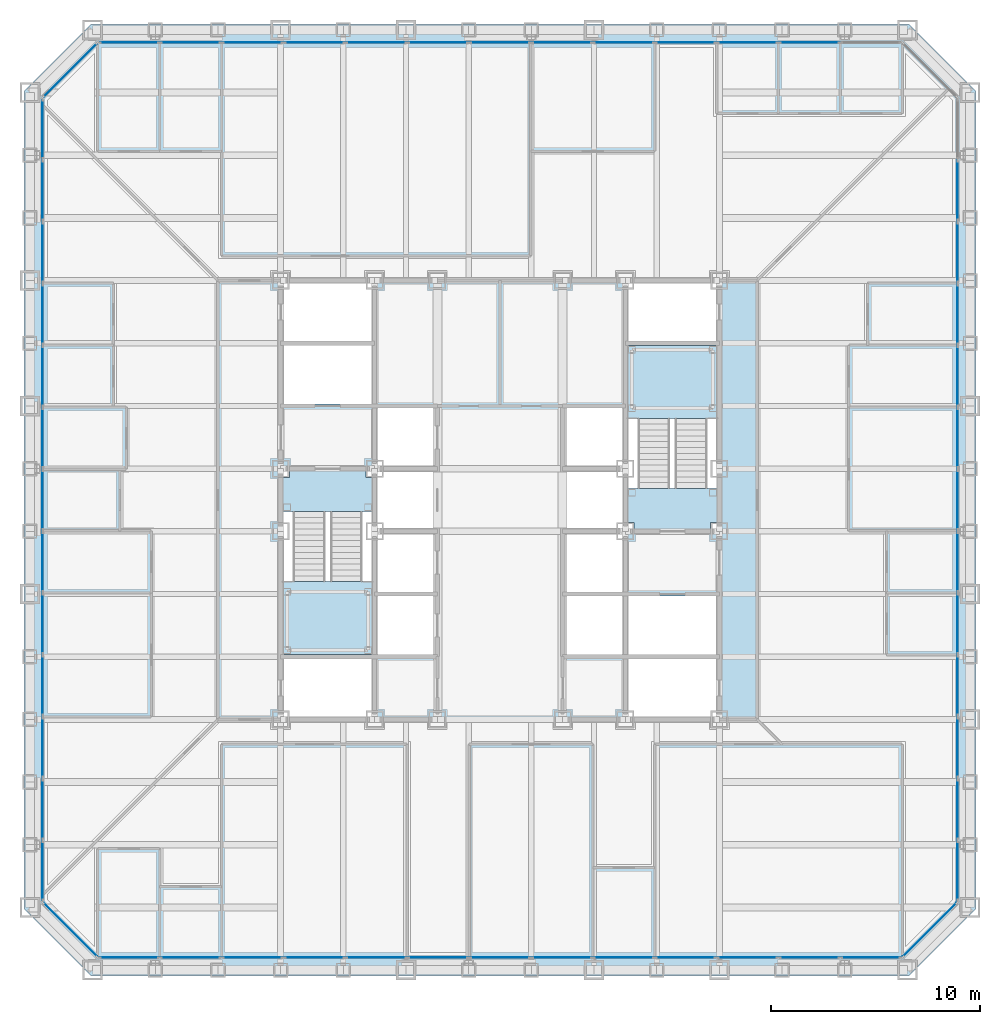
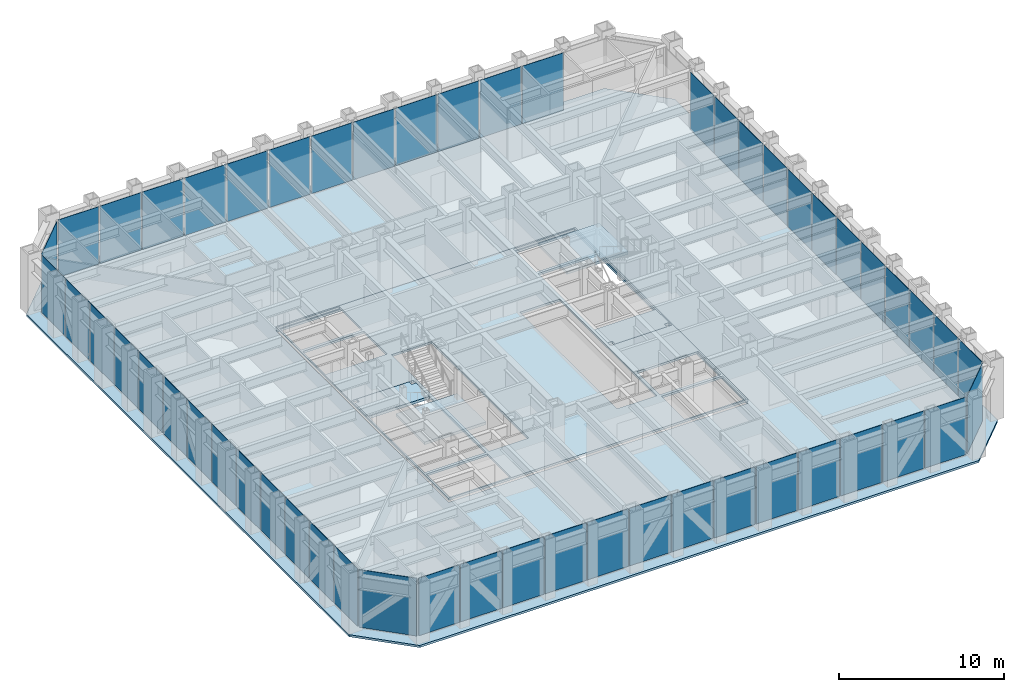
# One storey, part 7 of 17: 53 plates, 6 slabs, 9 elements without a shape of their own.
"""IFC4 building model written with IfcOpenShell, lengths in metres."""

from ifc_helpers import new_model, si_unit, direction, frame, origin, origin_2d, place, context, subcontext, project, spatial, polyline, rectangle, outline, extrude, material, layer, layer_set, type_object, element, aggregate, save


model = new_model("IFC4")

# Units and contexts
model_context = context("Model", 3, precision=1e-05, world=origin(), true_north=direction((0.0, 1.0)))
body_context = subcontext(model_context, "Body", "Model", "MODEL_VIEW")
ifc_project = project(units=[si_unit("LENGTHUNIT", "METRE"), si_unit("AREAUNIT", "SQUARE_METRE"), si_unit("VOLUMEUNIT", "CUBIC_METRE"), si_unit("PLANEANGLEUNIT", "RADIAN"), si_unit("MASSUNIT", "GRAM", prefix="KILO")], contexts=[model_context])

# Site, building, storey
site_placement = place(None, origin())
site = spatial("IfcSite", under=ifc_project, at=site_placement, CompositionType="ELEMENT")
building_placement = place(site_placement, origin())
building = spatial("IfcBuilding", under=site, at=building_placement, Name="Chuquiago Exchange Tower", CompositionType="ELEMENT")
storey_placement = place(building_placement, frame((0.0, 0.0, 64.800048828125)))
storey = spatial("IfcBuildingStorey", under=building, at=storey_placement, Name="L13", CompositionType="ELEMENT", Elevation=64.800048828125)

# Curtain wall, plates
ifc_material_1 = material(Name="Aluminium curtain wall system", Category="aluminium")
ifc_layer_1 = layer(ifc_material_1, 0.25)
ifc_layer_set_1 = layer_set([ifc_layer_1], Name="CW1 trading floor curtain wall")
curtain_wall_type_1 = type_object("IfcCurtainWallType", Name="CW1 trading floor curtain wall", PredefinedType="NOTDEFINED", material=ifc_layer_set_1)
curtain_wall_1_placement = place(storey_placement, origin())
curtain_wall_1 = element("IfcCurtainWall", 1, at=curtain_wall_1_placement, inside=storey, type_object=curtain_wall_type_1, Name="CW1 curtain wall L13", PredefinedType="NOTDEFINED")
ifc_material_2 = material(Name="Glass, insulating unit", Category="glass")
ifc_layer_2 = layer(ifc_material_2, 0.031982421875)
ifc_layer_set_2 = layer_set([ifc_layer_2], Name="CW1-P panel 32")
plate_type_1 = type_object("IfcPlateType", Name="CW1-P panel 32", PredefinedType="CURTAIN_PANEL", material=ifc_layer_set_2)
plate_1_placement = place(storey_placement, frame((10.65283203125, 0.60009765625, -0.22509765625), z_axis=(0.0, 0.0, 1.0), x_axis=(1.0, 0.0, 0.0)))
plate_1 = element("IfcPlate", 2, at=plate_1_placement, type_object=plate_type_1, Name="CW1 panel 3.1", PredefinedType="CURTAIN_PANEL", context=body_context, shape_type="SweptSolid", body=[
    extrude(rectangle(XDim=2.88671875, YDim=0.031982421875, at=origin_2d()), origin(), (0.0, 0.0, 1.0), 4.264892578125),
])
plate_2_placement = place(storey_placement, frame((13.61474609375, 0.60009765625, -0.22509765625), z_axis=(0.0, 0.0, 1.0), x_axis=(1.0, 0.0, 0.0)))
plate_2 = element("IfcPlate", 3, at=plate_2_placement, type_object=plate_type_1, Name="CW1 panel 4.1", PredefinedType="CURTAIN_PANEL", context=body_context, shape_type="SweptSolid", body=[
    extrude(rectangle(XDim=2.88671875, YDim=0.031982421875, at=origin_2d()), origin(), (0.0, 0.0, 1.0), 4.264892578125),
])
plate_3_placement = place(storey_placement, frame((16.576416015625, 0.60009765625, -0.22509765625), z_axis=(0.0, 0.0, 1.0), x_axis=(1.0, 0.0, 0.0)))
plate_3 = element("IfcPlate", 4, at=plate_3_placement, type_object=plate_type_1, Name="CW1 panel 5.1", PredefinedType="CURTAIN_PANEL", context=body_context, shape_type="SweptSolid", body=[
    extrude(rectangle(XDim=2.88671875, YDim=0.031982421875, at=origin_2d()), origin(), (0.0, 0.0, 1.0), 4.264892578125),
])
plate_4_placement = place(storey_placement, frame((25.461669921875, 0.60009765625, -0.22509765625), z_axis=(0.0, 0.0, 1.0), x_axis=(1.0, 0.0, 0.0)))
plate_4 = element("IfcPlate", 5, at=plate_4_placement, type_object=plate_type_1, Name="CW1 panel 8.1", PredefinedType="CURTAIN_PANEL", context=body_context, shape_type="SweptSolid", body=[
    extrude(rectangle(XDim=2.88671875, YDim=0.031982421875, at=origin_2d()), origin(), (0.0, 0.0, 1.0), 4.264892578125),
])
plate_5_placement = place(storey_placement, frame((28.423583984375, 0.60009765625, -0.22509765625), z_axis=(0.0, 0.0, 1.0), x_axis=(1.0, 0.0, 0.0)))
plate_5 = element("IfcPlate", 6, at=plate_5_placement, type_object=plate_type_1, Name="CW1 panel 9.1", PredefinedType="CURTAIN_PANEL", context=body_context, shape_type="SweptSolid", body=[
    extrude(rectangle(XDim=2.88671875, YDim=0.031982421875, at=origin_2d()), origin(), (0.0, 0.0, 1.0), 4.264892578125),
])
plate_6_placement = place(storey_placement, frame((31.38525390625, 0.60009765625, -0.22509765625), z_axis=(0.0, 0.0, 1.0), x_axis=(1.0, 0.0, 0.0)))
plate_6 = element("IfcPlate", 7, at=plate_6_placement, type_object=plate_type_1, Name="CW1 panel 10.1", PredefinedType="CURTAIN_PANEL", context=body_context, shape_type="SweptSolid", body=[
    extrude(rectangle(XDim=2.88671875, YDim=0.031982421875, at=origin_2d()), origin(), (0.0, 0.0, 1.0), 4.264892578125),
])
plate_7_placement = place(storey_placement, frame((34.34716796875, 0.60009765625, -0.22509765625), z_axis=(0.0, 0.0, 1.0), x_axis=(1.0, 0.0, 0.0)))
plate_7 = element("IfcPlate", 8, at=plate_7_placement, type_object=plate_type_1, Name="CW1 panel 11.1", PredefinedType="CURTAIN_PANEL", context=body_context, shape_type="SweptSolid", body=[
    extrude(rectangle(XDim=2.88671875, YDim=0.031982421875, at=origin_2d()), origin(), (0.0, 0.0, 1.0), 4.264892578125),
])

curtain_wall_2_placement = place(storey_placement, origin())
curtain_wall_2 = element("IfcCurtainWall", 9, at=curtain_wall_2_placement, inside=storey, type_object=curtain_wall_type_1, Name="CW1 curtain wall L13", PredefinedType="NOTDEFINED")
plate_8_placement = place(storey_placement, frame((44.39990234375, 10.65283203125, -0.22509765625), z_axis=(0.0, 0.0, 1.0), x_axis=(0.0, 1.0, 0.0)))
plate_8 = element("IfcPlate", 10, at=plate_8_placement, type_object=plate_type_1, Name="CW1 panel 3.1", PredefinedType="CURTAIN_PANEL", context=body_context, shape_type="SweptSolid", body=[
    extrude(rectangle(XDim=2.88671875, YDim=0.031982421875, at=origin_2d()), origin(), (0.0, 0.0, 1.0), 4.264892578125),
])
plate_9_placement = place(storey_placement, frame((44.39990234375, 13.61474609375, -0.22509765625), z_axis=(0.0, 0.0, 1.0), x_axis=(0.0, 1.0, 0.0)))
plate_9 = element("IfcPlate", 11, at=plate_9_placement, type_object=plate_type_1, Name="CW1 panel 4.1", PredefinedType="CURTAIN_PANEL", context=body_context, shape_type="SweptSolid", body=[
    extrude(rectangle(XDim=2.88671875, YDim=0.031982421875, at=origin_2d()), origin(), (0.0, 0.0, 1.0), 4.264892578125),
])
plate_10_placement = place(storey_placement, frame((44.39990234375, 16.576416015625, -0.22509765625), z_axis=(0.0, 0.0, 1.0), x_axis=(0.0, 1.0, 0.0)))
plate_10 = element("IfcPlate", 12, at=plate_10_placement, type_object=plate_type_1, Name="CW1 panel 5.1", PredefinedType="CURTAIN_PANEL", context=body_context, shape_type="SweptSolid", body=[
    extrude(rectangle(XDim=2.88671875, YDim=0.031982421875, at=origin_2d()), origin(), (0.0, 0.0, 1.0), 4.264892578125),
])
plate_11_placement = place(storey_placement, frame((44.39990234375, 25.461669921875, -0.22509765625), z_axis=(0.0, 0.0, 1.0), x_axis=(0.0, 1.0, 0.0)))
plate_11 = element("IfcPlate", 13, at=plate_11_placement, type_object=plate_type_1, Name="CW1 panel 8.1", PredefinedType="CURTAIN_PANEL", context=body_context, shape_type="SweptSolid", body=[
    extrude(rectangle(XDim=2.88671875, YDim=0.031982421875, at=origin_2d()), origin(), (0.0, 0.0, 1.0), 4.264892578125),
])
plate_12_placement = place(storey_placement, frame((44.39990234375, 28.423583984375, -0.22509765625), z_axis=(0.0, 0.0, 1.0), x_axis=(0.0, 1.0, 0.0)))
plate_12 = element("IfcPlate", 14, at=plate_12_placement, type_object=plate_type_1, Name="CW1 panel 9.1", PredefinedType="CURTAIN_PANEL", context=body_context, shape_type="SweptSolid", body=[
    extrude(rectangle(XDim=2.88671875, YDim=0.031982421875, at=origin_2d()), origin(), (0.0, 0.0, 1.0), 4.264892578125),
])
plate_13_placement = place(storey_placement, frame((44.39990234375, 31.38525390625, -0.22509765625), z_axis=(0.0, 0.0, 1.0), x_axis=(0.0, 1.0, 0.0)))
plate_13 = element("IfcPlate", 15, at=plate_13_placement, type_object=plate_type_1, Name="CW1 panel 10.1", PredefinedType="CURTAIN_PANEL", context=body_context, shape_type="SweptSolid", body=[
    extrude(rectangle(XDim=2.88671875, YDim=0.031982421875, at=origin_2d()), origin(), (0.0, 0.0, 1.0), 4.264892578125),
])
plate_14_placement = place(storey_placement, frame((44.39990234375, 34.34716796875, -0.22509765625), z_axis=(0.0, 0.0, 1.0), x_axis=(0.0, 1.0, 0.0)))
plate_14 = element("IfcPlate", 16, at=plate_14_placement, type_object=plate_type_1, Name="CW1 panel 11.1", PredefinedType="CURTAIN_PANEL", context=body_context, shape_type="SweptSolid", body=[
    extrude(rectangle(XDim=2.88671875, YDim=0.031982421875, at=origin_2d()), origin(), (0.0, 0.0, 1.0), 4.264892578125),
])

curtain_wall_3_placement = place(storey_placement, origin())
curtain_wall_3 = element("IfcCurtainWall", 17, at=curtain_wall_3_placement, inside=storey, type_object=curtain_wall_type_1, Name="CW1 curtain wall L13", PredefinedType="NOTDEFINED")
plate_15_placement = place(storey_placement, frame((34.34716796875, 44.39990234375, -0.22509765625), z_axis=(0.0, 0.0, 1.0), x_axis=(-1.0, 0.0, 0.0)))
plate_15 = element("IfcPlate", 18, at=plate_15_placement, type_object=plate_type_1, Name="CW1 panel 3.1", PredefinedType="CURTAIN_PANEL", context=body_context, shape_type="SweptSolid", body=[
    extrude(rectangle(XDim=2.88671875, YDim=0.031982421875, at=origin_2d()), origin(), (0.0, 0.0, 1.0), 4.264892578125),
])
plate_16_placement = place(storey_placement, frame((31.38525390625, 44.39990234375, -0.22509765625), z_axis=(0.0, 0.0, 1.0), x_axis=(-1.0, 0.0, 0.0)))
plate_16 = element("IfcPlate", 19, at=plate_16_placement, type_object=plate_type_1, Name="CW1 panel 4.1", PredefinedType="CURTAIN_PANEL", context=body_context, shape_type="SweptSolid", body=[
    extrude(rectangle(XDim=2.88671875, YDim=0.031982421875, at=origin_2d()), origin(), (0.0, 0.0, 1.0), 4.264892578125),
])
plate_17_placement = place(storey_placement, frame((28.423583984375, 44.39990234375, -0.22509765625), z_axis=(0.0, 0.0, 1.0), x_axis=(-1.0, 0.0, 0.0)))
plate_17 = element("IfcPlate", 20, at=plate_17_placement, type_object=plate_type_1, Name="CW1 panel 5.1", PredefinedType="CURTAIN_PANEL", context=body_context, shape_type="SweptSolid", body=[
    extrude(rectangle(XDim=2.88671875, YDim=0.031982421875, at=origin_2d()), origin(), (0.0, 0.0, 1.0), 4.264892578125),
])
plate_18_placement = place(storey_placement, frame((19.538330078125, 44.39990234375, -0.22509765625), z_axis=(0.0, 0.0, 1.0), x_axis=(-1.0, 0.0, 0.0)))
plate_18 = element("IfcPlate", 21, at=plate_18_placement, type_object=plate_type_1, Name="CW1 panel 8.1", PredefinedType="CURTAIN_PANEL", context=body_context, shape_type="SweptSolid", body=[
    extrude(rectangle(XDim=2.88671875, YDim=0.031982421875, at=origin_2d()), origin(), (0.0, 0.0, 1.0), 4.264892578125),
])
plate_19_placement = place(storey_placement, frame((16.576416015625, 44.39990234375, -0.22509765625), z_axis=(0.0, 0.0, 1.0), x_axis=(-1.0, 0.0, 0.0)))
plate_19 = element("IfcPlate", 22, at=plate_19_placement, type_object=plate_type_1, Name="CW1 panel 9.1", PredefinedType="CURTAIN_PANEL", context=body_context, shape_type="SweptSolid", body=[
    extrude(rectangle(XDim=2.88671875, YDim=0.031982421875, at=origin_2d()), origin(), (0.0, 0.0, 1.0), 4.264892578125),
])
plate_20_placement = place(storey_placement, frame((13.61474609375, 44.39990234375, -0.22509765625), z_axis=(0.0, 0.0, 1.0), x_axis=(-1.0, 0.0, 0.0)))
plate_20 = element("IfcPlate", 23, at=plate_20_placement, type_object=plate_type_1, Name="CW1 panel 10.1", PredefinedType="CURTAIN_PANEL", context=body_context, shape_type="SweptSolid", body=[
    extrude(rectangle(XDim=2.88671875, YDim=0.031982421875, at=origin_2d()), origin(), (0.0, 0.0, 1.0), 4.264892578125),
])
plate_21_placement = place(storey_placement, frame((10.65283203125, 44.39990234375, -0.22509765625), z_axis=(0.0, 0.0, 1.0), x_axis=(-1.0, 0.0, 0.0)))
plate_21 = element("IfcPlate", 24, at=plate_21_placement, type_object=plate_type_1, Name="CW1 panel 11.1", PredefinedType="CURTAIN_PANEL", context=body_context, shape_type="SweptSolid", body=[
    extrude(rectangle(XDim=2.88671875, YDim=0.031982421875, at=origin_2d()), origin(), (0.0, 0.0, 1.0), 4.264892578125),
])

curtain_wall_4_placement = place(storey_placement, origin())
curtain_wall_4 = element("IfcCurtainWall", 25, at=curtain_wall_4_placement, inside=storey, type_object=curtain_wall_type_1, Name="CW1 curtain wall L13", PredefinedType="NOTDEFINED")
plate_22_placement = place(storey_placement, frame((0.60009765625, 34.34716796875, -0.22509765625), z_axis=(0.0, 0.0, 1.0), x_axis=(0.0, -1.0, 0.0)))
plate_22 = element("IfcPlate", 26, at=plate_22_placement, type_object=plate_type_1, Name="CW1 panel 3.1", PredefinedType="CURTAIN_PANEL", context=body_context, shape_type="SweptSolid", body=[
    extrude(rectangle(XDim=2.88671875, YDim=0.031982421875, at=origin_2d()), origin(), (0.0, 0.0, 1.0), 4.264892578125),
])
plate_23_placement = place(storey_placement, frame((0.60009765625, 31.38525390625, -0.22509765625), z_axis=(0.0, 0.0, 1.0), x_axis=(0.0, -1.0, 0.0)))
plate_23 = element("IfcPlate", 27, at=plate_23_placement, type_object=plate_type_1, Name="CW1 panel 4.1", PredefinedType="CURTAIN_PANEL", context=body_context, shape_type="SweptSolid", body=[
    extrude(rectangle(XDim=2.88671875, YDim=0.031982421875, at=origin_2d()), origin(), (0.0, 0.0, 1.0), 4.264892578125),
])
plate_24_placement = place(storey_placement, frame((0.60009765625, 28.423583984375, -0.22509765625), z_axis=(0.0, 0.0, 1.0), x_axis=(0.0, -1.0, 0.0)))
plate_24 = element("IfcPlate", 28, at=plate_24_placement, type_object=plate_type_1, Name="CW1 panel 5.1", PredefinedType="CURTAIN_PANEL", context=body_context, shape_type="SweptSolid", body=[
    extrude(rectangle(XDim=2.88671875, YDim=0.031982421875, at=origin_2d()), origin(), (0.0, 0.0, 1.0), 4.264892578125),
])
plate_25_placement = place(storey_placement, frame((0.60009765625, 19.538330078125, -0.22509765625), z_axis=(0.0, 0.0, 1.0), x_axis=(0.0, -1.0, 0.0)))
plate_25 = element("IfcPlate", 29, at=plate_25_placement, type_object=plate_type_1, Name="CW1 panel 8.1", PredefinedType="CURTAIN_PANEL", context=body_context, shape_type="SweptSolid", body=[
    extrude(rectangle(XDim=2.88671875, YDim=0.031982421875, at=origin_2d()), origin(), (0.0, 0.0, 1.0), 4.264892578125),
])
plate_26_placement = place(storey_placement, frame((0.60009765625, 16.576416015625, -0.22509765625), z_axis=(0.0, 0.0, 1.0), x_axis=(0.0, -1.0, 0.0)))
plate_26 = element("IfcPlate", 30, at=plate_26_placement, type_object=plate_type_1, Name="CW1 panel 9.1", PredefinedType="CURTAIN_PANEL", context=body_context, shape_type="SweptSolid", body=[
    extrude(rectangle(XDim=2.88671875, YDim=0.031982421875, at=origin_2d()), origin(), (0.0, 0.0, 1.0), 4.264892578125),
])
plate_27_placement = place(storey_placement, frame((0.60009765625, 13.61474609375, -0.22509765625), z_axis=(0.0, 0.0, 1.0), x_axis=(0.0, -1.0, 0.0)))
plate_27 = element("IfcPlate", 31, at=plate_27_placement, type_object=plate_type_1, Name="CW1 panel 10.1", PredefinedType="CURTAIN_PANEL", context=body_context, shape_type="SweptSolid", body=[
    extrude(rectangle(XDim=2.88671875, YDim=0.031982421875, at=origin_2d()), origin(), (0.0, 0.0, 1.0), 4.264892578125),
])
plate_28_placement = place(storey_placement, frame((0.60009765625, 10.65283203125, -0.22509765625), z_axis=(0.0, 0.0, 1.0), x_axis=(0.0, -1.0, 0.0)))
plate_28 = element("IfcPlate", 32, at=plate_28_placement, type_object=plate_type_1, Name="CW1 panel 11.1", PredefinedType="CURTAIN_PANEL", context=body_context, shape_type="SweptSolid", body=[
    extrude(rectangle(XDim=2.88671875, YDim=0.031982421875, at=origin_2d()), origin(), (0.0, 0.0, 1.0), 4.264892578125),
])

# Plate
ifc_material_3 = material(Name="Insulated spandrel panel, pale anodised aluminium", Category="aluminium")
ifc_layer_3 = layer(ifc_material_3, 0.031982421875)
ifc_layer_set_3 = layer_set([ifc_layer_3], Name="CW1-P spandrel panel 32")
plate_type_2 = type_object("IfcPlateType", Name="CW1-P spandrel panel 32", PredefinedType="CURTAIN_PANEL", material=ifc_layer_set_3)
plate_29_placement = place(storey_placement, frame((4.748046875, 0.60009765625, -0.22509765625), z_axis=(0.0, 0.0, 1.0), x_axis=(1.0, 0.0, 0.0)))
plate_29 = element("IfcPlate", 33, at=plate_29_placement, type_object=plate_type_2, Name="CW1 panel 1.1", PredefinedType="CURTAIN_PANEL", context=body_context, shape_type="SweptSolid", body=[
    extrude(rectangle(XDim=2.849365234375, YDim=0.031982421875, at=origin_2d()), origin(), (0.0, 0.0, 1.0), 4.264892578125),
])

plate_30_placement = place(storey_placement, frame((7.691162109375, 0.60009765625, -0.22509765625), z_axis=(0.0, 0.0, 1.0), x_axis=(1.0, 0.0, 0.0)))
plate_30 = element("IfcPlate", 34, at=plate_30_placement, type_object=plate_type_2, Name="CW1 panel 2.1", PredefinedType="CURTAIN_PANEL", context=body_context, shape_type="SweptSolid", body=[
    extrude(rectangle(XDim=2.88671875, YDim=0.031982421875, at=origin_2d()), origin(), (0.0, 0.0, 1.0), 4.264892578125),
])

plate_31_placement = place(storey_placement, frame((19.538330078125, 0.60009765625, -0.22509765625), z_axis=(0.0, 0.0, 1.0), x_axis=(1.0, 0.0, 0.0)))
plate_31 = element("IfcPlate", 35, at=plate_31_placement, type_object=plate_type_2, Name="CW1 panel 6.1", PredefinedType="CURTAIN_PANEL", context=body_context, shape_type="SweptSolid", body=[
    extrude(rectangle(XDim=2.88671875, YDim=0.031982421875, at=origin_2d()), origin(), (0.0, 0.0, 1.0), 4.264892578125),
])

plate_32_placement = place(storey_placement, frame((22.5, 0.60009765625, -0.22509765625), z_axis=(0.0, 0.0, 1.0), x_axis=(1.0, 0.0, 0.0)))
plate_32 = element("IfcPlate", 36, at=plate_32_placement, type_object=plate_type_2, Name="CW1 panel 7.1", PredefinedType="CURTAIN_PANEL", context=body_context, shape_type="SweptSolid", body=[
    extrude(rectangle(XDim=2.88671875, YDim=0.031982421875, at=origin_2d()), origin(), (0.0, 0.0, 1.0), 4.264892578125),
])

plate_33_placement = place(storey_placement, frame((37.308837890625, 0.60009765625, -0.22509765625), z_axis=(0.0, 0.0, 1.0), x_axis=(1.0, 0.0, 0.0)))
plate_33 = element("IfcPlate", 37, at=plate_33_placement, type_object=plate_type_2, Name="CW1 panel 12.1", PredefinedType="CURTAIN_PANEL", context=body_context, shape_type="SweptSolid", body=[
    extrude(rectangle(XDim=2.88671875, YDim=0.031982421875, at=origin_2d()), origin(), (0.0, 0.0, 1.0), 4.264892578125),
])

plate_34_placement = place(storey_placement, frame((40.251953125, 0.60009765625, -0.22509765625), z_axis=(0.0, 0.0, 1.0), x_axis=(1.0, 0.0, 0.0)))
plate_34 = element("IfcPlate", 38, at=plate_34_placement, type_object=plate_type_2, Name="CW1 panel 13.1", PredefinedType="CURTAIN_PANEL", context=body_context, shape_type="SweptSolid", body=[
    extrude(rectangle(XDim=2.849365234375, YDim=0.031982421875, at=origin_2d()), origin(), (0.0, 0.0, 1.0), 4.264892578125),
])

aggregate(curtain_wall_1, [plate_29, plate_30, plate_1, plate_2, plate_3, plate_31, plate_32, plate_4, plate_5, plate_6, plate_7, plate_33, plate_34])

plate_35_placement = place(storey_placement, frame((44.39990234375, 4.748046875, -0.22509765625), z_axis=(0.0, 0.0, 1.0), x_axis=(0.0, 1.0, 0.0)))
plate_35 = element("IfcPlate", 39, at=plate_35_placement, type_object=plate_type_2, Name="CW1 panel 1.1", PredefinedType="CURTAIN_PANEL", context=body_context, shape_type="SweptSolid", body=[
    extrude(rectangle(XDim=2.849365234375, YDim=0.031982421875, at=origin_2d()), origin(), (0.0, 0.0, 1.0), 4.264892578125),
])

plate_36_placement = place(storey_placement, frame((44.39990234375, 7.691162109375, -0.22509765625), z_axis=(0.0, 0.0, 1.0), x_axis=(0.0, 1.0, 0.0)))
plate_36 = element("IfcPlate", 40, at=plate_36_placement, type_object=plate_type_2, Name="CW1 panel 2.1", PredefinedType="CURTAIN_PANEL", context=body_context, shape_type="SweptSolid", body=[
    extrude(rectangle(XDim=2.88671875, YDim=0.031982421875, at=origin_2d()), origin(), (0.0, 0.0, 1.0), 4.264892578125),
])

plate_37_placement = place(storey_placement, frame((44.39990234375, 19.538330078125, -0.22509765625), z_axis=(0.0, 0.0, 1.0), x_axis=(0.0, 1.0, 0.0)))
plate_37 = element("IfcPlate", 41, at=plate_37_placement, type_object=plate_type_2, Name="CW1 panel 6.1", PredefinedType="CURTAIN_PANEL", context=body_context, shape_type="SweptSolid", body=[
    extrude(rectangle(XDim=2.88671875, YDim=0.031982421875, at=origin_2d()), origin(), (0.0, 0.0, 1.0), 4.264892578125),
])

plate_38_placement = place(storey_placement, frame((44.39990234375, 22.5, -0.22509765625), z_axis=(0.0, 0.0, 1.0), x_axis=(0.0, 1.0, 0.0)))
plate_38 = element("IfcPlate", 42, at=plate_38_placement, type_object=plate_type_2, Name="CW1 panel 7.1", PredefinedType="CURTAIN_PANEL", context=body_context, shape_type="SweptSolid", body=[
    extrude(rectangle(XDim=2.88671875, YDim=0.031982421875, at=origin_2d()), origin(), (0.0, 0.0, 1.0), 4.264892578125),
])

plate_39_placement = place(storey_placement, frame((44.39990234375, 37.308837890625, -0.22509765625), z_axis=(0.0, 0.0, 1.0), x_axis=(0.0, 1.0, 0.0)))
plate_39 = element("IfcPlate", 43, at=plate_39_placement, type_object=plate_type_2, Name="CW1 panel 12.1", PredefinedType="CURTAIN_PANEL", context=body_context, shape_type="SweptSolid", body=[
    extrude(rectangle(XDim=2.88671875, YDim=0.031982421875, at=origin_2d()), origin(), (0.0, 0.0, 1.0), 4.264892578125),
])

aggregate(curtain_wall_2, [plate_35, plate_36, plate_8, plate_9, plate_10, plate_37, plate_38, plate_11, plate_12, plate_13, plate_14, plate_39])

plate_40_placement = place(storey_placement, frame((37.308837890625, 44.39990234375, -0.22509765625), z_axis=(0.0, 0.0, 1.0), x_axis=(-1.0, 0.0, 0.0)))
plate_40 = element("IfcPlate", 44, at=plate_40_placement, type_object=plate_type_2, Name="CW1 panel 2.1", PredefinedType="CURTAIN_PANEL", context=body_context, shape_type="SweptSolid", body=[
    extrude(rectangle(XDim=2.88671875, YDim=0.031982421875, at=origin_2d()), origin(), (0.0, 0.0, 1.0), 4.264892578125),
])

plate_41_placement = place(storey_placement, frame((25.461669921875, 44.39990234375, -0.22509765625), z_axis=(0.0, 0.0, 1.0), x_axis=(-1.0, 0.0, 0.0)))
plate_41 = element("IfcPlate", 45, at=plate_41_placement, type_object=plate_type_2, Name="CW1 panel 6.1", PredefinedType="CURTAIN_PANEL", context=body_context, shape_type="SweptSolid", body=[
    extrude(rectangle(XDim=2.88671875, YDim=0.031982421875, at=origin_2d()), origin(), (0.0, 0.0, 1.0), 4.264892578125),
])

plate_42_placement = place(storey_placement, frame((22.5, 44.39990234375, -0.22509765625), z_axis=(0.0, 0.0, 1.0), x_axis=(-1.0, 0.0, 0.0)))
plate_42 = element("IfcPlate", 46, at=plate_42_placement, type_object=plate_type_2, Name="CW1 panel 7.1", PredefinedType="CURTAIN_PANEL", context=body_context, shape_type="SweptSolid", body=[
    extrude(rectangle(XDim=2.88671875, YDim=0.031982421875, at=origin_2d()), origin(), (0.0, 0.0, 1.0), 4.264892578125),
])

plate_43_placement = place(storey_placement, frame((7.691162109375, 44.39990234375, -0.22509765625), z_axis=(0.0, 0.0, 1.0), x_axis=(-1.0, 0.0, 0.0)))
plate_43 = element("IfcPlate", 47, at=plate_43_placement, type_object=plate_type_2, Name="CW1 panel 12.1", PredefinedType="CURTAIN_PANEL", context=body_context, shape_type="SweptSolid", body=[
    extrude(rectangle(XDim=2.88671875, YDim=0.031982421875, at=origin_2d()), origin(), (0.0, 0.0, 1.0), 4.264892578125),
])

plate_44_placement = place(storey_placement, frame((4.748046875, 44.39990234375, -0.22509765625), z_axis=(0.0, 0.0, 1.0), x_axis=(-1.0, 0.0, 0.0)))
plate_44 = element("IfcPlate", 48, at=plate_44_placement, type_object=plate_type_2, Name="CW1 panel 13.1", PredefinedType="CURTAIN_PANEL", context=body_context, shape_type="SweptSolid", body=[
    extrude(rectangle(XDim=2.849365234375, YDim=0.031982421875, at=origin_2d()), origin(), (0.0, 0.0, 1.0), 4.264892578125),
])

aggregate(curtain_wall_3, [plate_40, plate_15, plate_16, plate_17, plate_41, plate_42, plate_18, plate_19, plate_20, plate_21, plate_43, plate_44])

plate_45_placement = place(storey_placement, frame((0.60009765625, 40.251953125, -0.22509765625), z_axis=(0.0, 0.0, 1.0), x_axis=(0.0, -1.0, 0.0)))
plate_45 = element("IfcPlate", 49, at=plate_45_placement, type_object=plate_type_2, Name="CW1 panel 1.1", PredefinedType="CURTAIN_PANEL", context=body_context, shape_type="SweptSolid", body=[
    extrude(rectangle(XDim=2.849365234375, YDim=0.031982421875, at=origin_2d()), origin(), (0.0, 0.0, 1.0), 4.264892578125),
])

plate_46_placement = place(storey_placement, frame((0.60009765625, 37.308837890625, -0.22509765625), z_axis=(0.0, 0.0, 1.0), x_axis=(0.0, -1.0, 0.0)))
plate_46 = element("IfcPlate", 50, at=plate_46_placement, type_object=plate_type_2, Name="CW1 panel 2.1", PredefinedType="CURTAIN_PANEL", context=body_context, shape_type="SweptSolid", body=[
    extrude(rectangle(XDim=2.88671875, YDim=0.031982421875, at=origin_2d()), origin(), (0.0, 0.0, 1.0), 4.264892578125),
])

plate_47_placement = place(storey_placement, frame((0.60009765625, 25.461669921875, -0.22509765625), z_axis=(0.0, 0.0, 1.0), x_axis=(0.0, -1.0, 0.0)))
plate_47 = element("IfcPlate", 51, at=plate_47_placement, type_object=plate_type_2, Name="CW1 panel 6.1", PredefinedType="CURTAIN_PANEL", context=body_context, shape_type="SweptSolid", body=[
    extrude(rectangle(XDim=2.88671875, YDim=0.031982421875, at=origin_2d()), origin(), (0.0, 0.0, 1.0), 4.264892578125),
])

plate_48_placement = place(storey_placement, frame((0.60009765625, 22.5, -0.22509765625), z_axis=(0.0, 0.0, 1.0), x_axis=(0.0, -1.0, 0.0)))
plate_48 = element("IfcPlate", 52, at=plate_48_placement, type_object=plate_type_2, Name="CW1 panel 7.1", PredefinedType="CURTAIN_PANEL", context=body_context, shape_type="SweptSolid", body=[
    extrude(rectangle(XDim=2.88671875, YDim=0.031982421875, at=origin_2d()), origin(), (0.0, 0.0, 1.0), 4.264892578125),
])

plate_49_placement = place(storey_placement, frame((0.60009765625, 7.691162109375, -0.22509765625), z_axis=(0.0, 0.0, 1.0), x_axis=(0.0, -1.0, 0.0)))
plate_49 = element("IfcPlate", 53, at=plate_49_placement, type_object=plate_type_2, Name="CW1 panel 12.1", PredefinedType="CURTAIN_PANEL", context=body_context, shape_type="SweptSolid", body=[
    extrude(rectangle(XDim=2.88671875, YDim=0.031982421875, at=origin_2d()), origin(), (0.0, 0.0, 1.0), 4.264892578125),
])

plate_50_placement = place(storey_placement, frame((0.60009765625, 4.748046875, -0.22509765625), z_axis=(0.0, 0.0, 1.0), x_axis=(0.0, -1.0, 0.0)))
plate_50 = element("IfcPlate", 54, at=plate_50_placement, type_object=plate_type_2, Name="CW1 panel 13.1", PredefinedType="CURTAIN_PANEL", context=body_context, shape_type="SweptSolid", body=[
    extrude(rectangle(XDim=2.849365234375, YDim=0.031982421875, at=origin_2d()), origin(), (0.0, 0.0, 1.0), 4.264892578125),
])

aggregate(curtain_wall_4, [plate_45, plate_46, plate_22, plate_23, plate_24, plate_47, plate_48, plate_25, plate_26, plate_27, plate_28, plate_49, plate_50])

# Curtain wall, plate
ifc_material_4 = material(Name="Aluminium curtain wall system", Category="aluminium")
ifc_layer_4 = layer(ifc_material_4, 0.199951171875)
ifc_layer_set_4 = layer_set([ifc_layer_4], Name="CW3 facet curtain wall")
curtain_wall_type_2 = type_object("IfcCurtainWallType", Name="CW3 facet curtain wall", PredefinedType="NOTDEFINED", material=ifc_layer_set_4)
curtain_wall_5_placement = place(storey_placement, origin())
curtain_wall_5 = element("IfcCurtainWall", 55, at=curtain_wall_5_placement, inside=storey, type_object=curtain_wall_type_2, Name="CW3 curtain wall L13", PredefinedType="NOTDEFINED")
ifc_material_5 = material(Name="Insulated spandrel panel, pale anodised aluminium", Category="aluminium")
ifc_layer_5 = layer(ifc_material_5, 0.030029296875)
ifc_layer_set_5 = layer_set([ifc_layer_5], Name="CW3-P spandrel panel 30")
plate_type_3 = type_object("IfcPlateType", Name="CW3-P spandrel panel 30", PredefinedType="CURTAIN_PANEL", material=ifc_layer_set_5)
plate_51_placement = place(storey_placement, frame((43.07568359375, 1.92431640625, -0.235107421875), z_axis=(0.0, 0.0, 1.0), x_axis=(0.707106781187, 0.707106781187, 0.0)))
plate_51 = element("IfcPlate", 56, at=plate_51_placement, type_object=plate_type_3, Name="CW3 panel 1.1", PredefinedType="CURTAIN_PANEL", context=body_context, shape_type="SweptSolid", body=[
    extrude(rectangle(XDim=3.615478515625, YDim=0.030029296875, at=origin_2d()), origin(), (0.0, 0.0, 1.0), 4.27490234375),
])
aggregate(curtain_wall_5, [plate_51])

curtain_wall_6_placement = place(storey_placement, origin())
curtain_wall_6 = element("IfcCurtainWall", 57, at=curtain_wall_6_placement, inside=storey, type_object=curtain_wall_type_2, Name="CW3 curtain wall L13", PredefinedType="NOTDEFINED")
plate_52_placement = place(storey_placement, frame((1.92431640625, 43.07568359375, -0.235107421875), z_axis=(0.0, 0.0, 1.0), x_axis=(-0.707106781187, -0.707106781187, 0.0)))
plate_52 = element("IfcPlate", 58, at=plate_52_placement, type_object=plate_type_3, Name="CW3 panel 1.1", PredefinedType="CURTAIN_PANEL", context=body_context, shape_type="SweptSolid", body=[
    extrude(rectangle(XDim=3.615478515625, YDim=0.030029296875, at=origin_2d()), origin(), (0.0, 0.0, 1.0), 4.27490234375),
])
aggregate(curtain_wall_6, [plate_52])

curtain_wall_7_placement = place(storey_placement, origin())
curtain_wall_7 = element("IfcCurtainWall", 59, at=curtain_wall_7_placement, inside=storey, type_object=curtain_wall_type_2, Name="CW3 curtain wall L13", PredefinedType="NOTDEFINED")
plate_53_placement = place(storey_placement, frame((1.92431640625, 1.92431640625, -0.235107421875), z_axis=(0.0, 0.0, 1.0), x_axis=(0.707106781187, -0.707106781187, 0.0)))
plate_53 = element("IfcPlate", 60, at=plate_53_placement, type_object=plate_type_3, Name="CW3 panel 1.1", PredefinedType="CURTAIN_PANEL", context=body_context, shape_type="SweptSolid", body=[
    extrude(rectangle(XDim=3.615478515625, YDim=0.030029296875, at=origin_2d()), origin(), (0.0, 0.0, 1.0), 4.27490234375),
])
aggregate(curtain_wall_7, [plate_53])

# Slabs
ifc_material_6 = material(Name="Concrete C30/37", Category="concrete")
ifc_layer_6 = layer(ifc_material_6, 0.159912109375)
ifc_layer_set_6 = layer_set([ifc_layer_6], Name="FS1 composite floor 160")
slab_type_1 = type_object("IfcSlabType", Name="FS1 composite floor 160", PredefinedType="FLOOR", material=ifc_layer_set_6)
slab_1_placement = place(storey_placement, frame((0.0, 0.0, -0.4599609375)))
element("IfcSlab", 61, at=slab_1_placement, inside=storey, type_object=slab_type_1, Name="L13 floor slab, lowered under the raised floor", PredefinedType="FLOOR", context=body_context, shape_type="SweptSolid", body=[
    extrude(outline(polyline([(-0.25, 2.896484375), (-0.25, 42.103515625), (2.896484375, 45.25), (42.103515625, 45.25), (45.25, 42.103515625), (45.25, 2.896484375), (42.103515625, -0.25), (2.896484375, -0.25), (-0.25, 2.896484375)]), holes=[polyline([(33.0, 33.0), (12.0, 33.0), (12.0, 12.0), (33.0, 12.0), (33.0, 33.0)])]), origin(), (0.0, 0.0, 1.0), 0.159912109375),
])
slab_2_placement = place(storey_placement, frame((0.0, 0.0, -0.16015625)))
element("IfcSlab", 62, at=slab_2_placement, inside=storey, type_object=slab_type_1, Name="L13 core floor slab", PredefinedType="FLOOR", context=body_context, shape_type="SweptSolid", body=[
    extrude(outline(polyline([(33.0, 12.0), (33.0, 33.0), (12.0, 33.0), (12.0, 12.0), (33.0, 12.0)]), holes=[polyline([(16.39990234375, 15.10009765625), (12.10009765625, 15.10009765625), (12.10009765625, 23.89990234375), (16.39990234375, 23.89990234375), (16.39990234375, 15.10009765625)]), polyline([(32.89990234375, 21.10009765625), (28.60009765625, 21.10009765625), (28.60009765625, 29.89990234375), (32.89990234375, 29.89990234375), (32.89990234375, 21.10009765625)]), polyline([(16.39990234375, 12.10009765625), (12.10009765625, 12.10009765625), (12.10009765625, 14.89990234375), (16.39990234375, 14.89990234375), (16.39990234375, 12.10009765625)]), polyline([(16.39990234375, 30.10009765625), (12.10009765625, 30.10009765625), (12.10009765625, 32.89990234375), (16.39990234375, 32.89990234375), (16.39990234375, 30.10009765625)]), polyline([(32.89990234375, 12.10009765625), (28.60009765625, 12.10009765625), (28.60009765625, 14.89990234375), (32.89990234375, 14.89990234375), (32.89990234375, 12.10009765625)]), polyline([(32.89990234375, 30.10009765625), (28.60009765625, 30.10009765625), (28.60009765625, 32.89990234375), (32.89990234375, 32.89990234375), (32.89990234375, 30.10009765625)]), polyline([(16.39990234375, 27.10009765625), (12.10009765625, 27.10009765625), (12.10009765625, 29.89990234375), (16.39990234375, 29.89990234375), (16.39990234375, 27.10009765625)]), polyline([(32.89990234375, 15.10009765625), (28.60009765625, 15.10009765625), (28.60009765625, 17.89990234375), (32.89990234375, 17.89990234375), (32.89990234375, 15.10009765625)]), polyline([(19.39990234375, 15.10009765625), (16.60009765625, 15.10009765625), (16.60009765625, 26.89990234375), (19.39990234375, 26.89990234375), (19.39990234375, 15.10009765625)]), polyline([(28.39990234375, 15.10009765625), (25.60009765625, 15.10009765625), (25.60009765625, 26.89990234375), (28.39990234375, 26.89990234375), (28.39990234375, 15.10009765625)])]), origin(), (0.0, 0.0, 1.0), 0.16015625),
])

# Stair, slabs
ifc_material_7 = material(Name="Concrete C30/37, precast", Category="concrete")
stair_type_1 = type_object("IfcStairType", Name="ST1 half-turn stair 4500", PredefinedType="HALF_TURN_STAIR", material=ifc_material_7)
stair_1_placement = place(storey_placement, origin())
stair_1 = element("IfcStair", 63, at=stair_1_placement, inside=storey, type_object=stair_type_1, Name="Stair ST1 L13", PredefinedType="HALF_TURN_STAIR")
ifc_material_8 = material(Name="Concrete C30/37, precast", Category="concrete")
ifc_layer_7 = layer(ifc_material_8, 0.199951171875)
ifc_layer_set_7 = layer_set([ifc_layer_7], Name="ST-L landing 200")
slab_type_2 = type_object("IfcSlabType", Name="ST-L landing 200", PredefinedType="LANDING", material=ifc_layer_set_7)
slab_3_placement = place(storey_placement, frame((0.0, 0.0, -0.199951171875)))
slab_3 = element("IfcSlab", 64, at=slab_3_placement, type_object=slab_type_2, Name="ST1 landing 1", PredefinedType="LANDING", context=body_context, shape_type="SweptSolid", body=[
    extrude(outline(polyline([(12.425048828125, 23.89990234375), (16.074951171875, 23.89990234375), (16.074951171875, 23.574951171875), (16.39990234375, 23.574951171875), (16.39990234375, 21.949951171875), (12.10009765625, 21.949951171875), (12.10009765625, 23.574951171875), (12.425048828125, 23.574951171875), (12.425048828125, 23.89990234375)])), origin(), (0.0, 0.0, 1.0), 0.199951171875),
])
slab_4_placement = place(storey_placement, frame((0.0, 0.0, 2.050048828125)))
slab_4 = element("IfcSlab", 65, at=slab_4_placement, type_object=slab_type_2, Name="ST1 landing 2", PredefinedType="LANDING", context=body_context, shape_type="SweptSolid", body=[
    extrude(outline(polyline([(12.10009765625, 18.590087890625), (16.39990234375, 18.590087890625), (16.39990234375, 15.10009765625), (12.10009765625, 15.10009765625), (12.10009765625, 18.590087890625)])), origin(), (0.0, 0.0, 1.0), 0.199951171875),
])
aggregate(stair_1, [slab_3, slab_4])

ifc_material_9 = material(Name="Concrete C30/37, precast", Category="concrete")
stair_type_2 = type_object("IfcStairType", Name="ST2 half-turn stair 4500", PredefinedType="HALF_TURN_STAIR", material=ifc_material_9)
stair_2_placement = place(storey_placement, origin())
stair_2 = element("IfcStair", 66, at=stair_2_placement, inside=storey, type_object=stair_type_2, Name="Stair ST2 L13", PredefinedType="HALF_TURN_STAIR")
slab_5_placement = place(storey_placement, frame((0.0, 0.0, -0.199951171875)))
slab_5 = element("IfcSlab", 67, at=slab_5_placement, type_object=slab_type_2, Name="ST2 landing 1", PredefinedType="LANDING", context=body_context, shape_type="SweptSolid", body=[
    extrude(outline(polyline([(32.574951171875, 21.425048828125), (32.574951171875, 21.10009765625), (28.925048828125, 21.10009765625), (28.925048828125, 21.425048828125), (28.60009765625, 21.425048828125), (28.60009765625, 23.050048828125), (32.89990234375, 23.050048828125), (32.89990234375, 21.425048828125), (32.574951171875, 21.425048828125)])), origin(), (0.0, 0.0, 1.0), 0.199951171875),
])
slab_6_placement = place(storey_placement, frame((0.0, 0.0, 2.050048828125)))
slab_6 = element("IfcSlab", 68, at=slab_6_placement, type_object=slab_type_2, Name="ST2 landing 2", PredefinedType="LANDING", context=body_context, shape_type="SweptSolid", body=[
    extrude(outline(polyline([(28.60009765625, 29.89990234375), (32.89990234375, 29.89990234375), (32.89990234375, 26.409912109375), (28.60009765625, 26.409912109375), (28.60009765625, 29.89990234375)])), origin(), (0.0, 0.0, 1.0), 0.199951171875),
])
aggregate(stair_2, [slab_5, slab_6])

save(model, "model.ifc")
